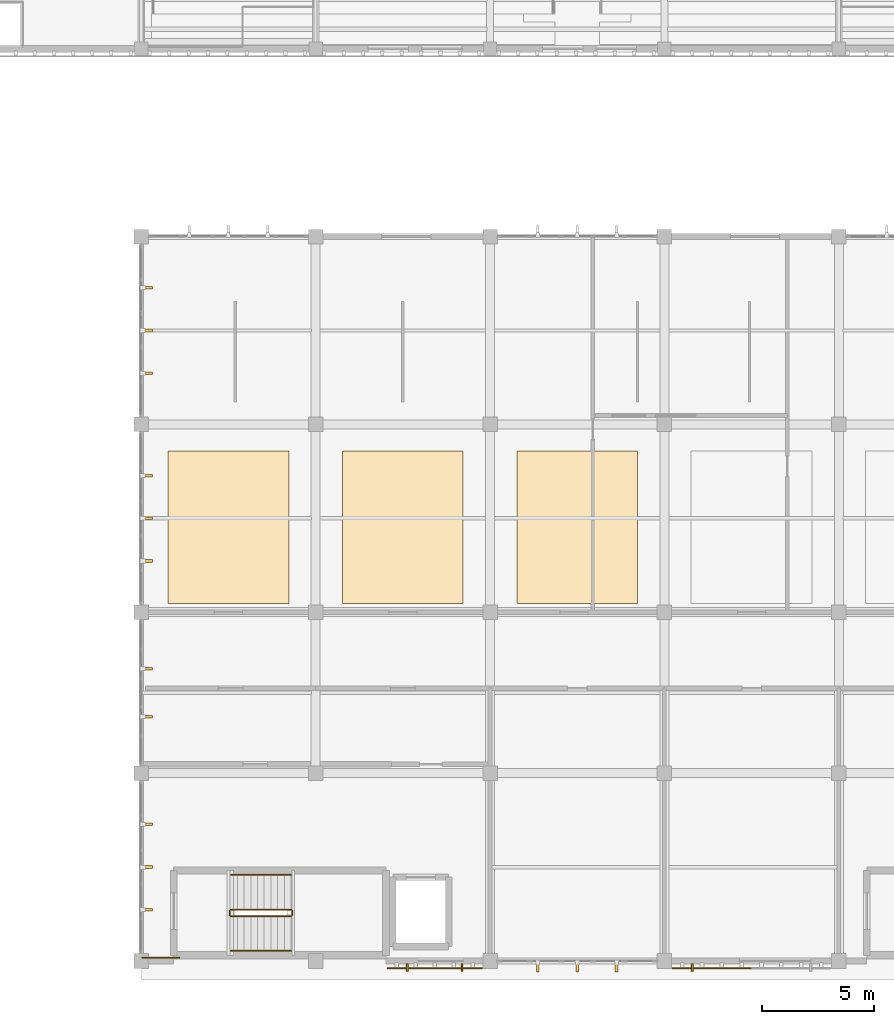
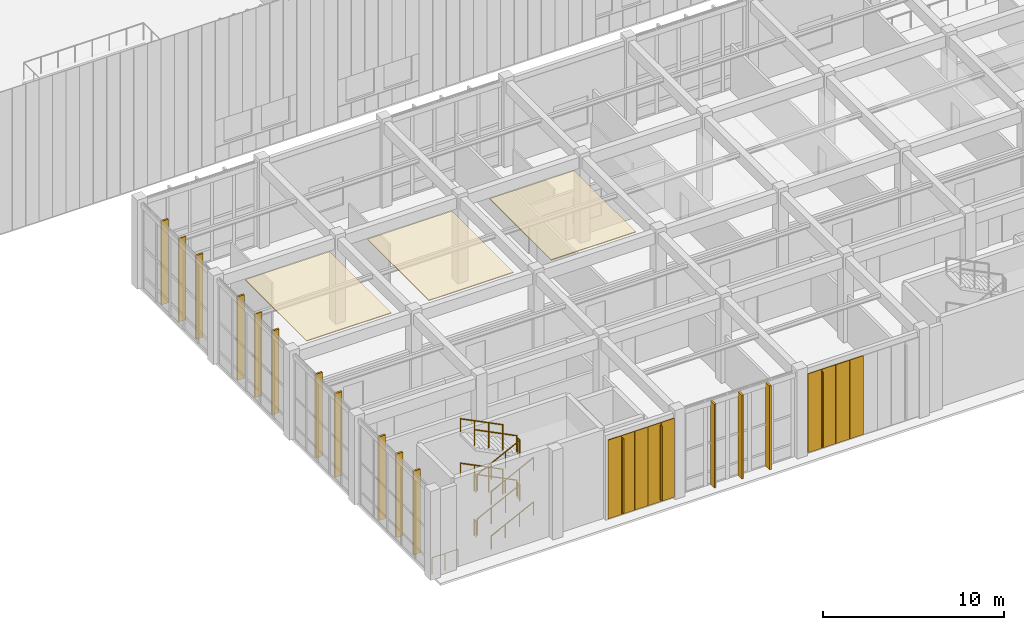
# One storey, part 88 of 105: 26 coverings, 13 railings, 3 shading devices.
"""IFC4 building model written with IfcOpenShell, lengths in metres."""

from ifc_helpers import new_model, si_unit, direction, frame, origin, origin_2d, place, context, subcontext, project, spatial, polyline, rectangle, circle, outline, extrude, material, layer, layer_set, type_object, element, save


model = new_model("IFC4")

# Units and contexts
model_context = context("Model", 3, precision=1e-05, world=origin(), true_north=direction((0.0, 1.0)))
body_context = subcontext(model_context, "Body", "Model", "MODEL_VIEW")
ifc_project = project(units=[si_unit("LENGTHUNIT", "METRE"), si_unit("AREAUNIT", "SQUARE_METRE"), si_unit("VOLUMEUNIT", "CUBIC_METRE"), si_unit("PLANEANGLEUNIT", "RADIAN"), si_unit("MASSUNIT", "GRAM", prefix="KILO")], contexts=[model_context])

# Site, building, storey
site_placement = place(None, origin())
site = spatial("IfcSite", under=ifc_project, at=site_placement, CompositionType="ELEMENT")
building_placement = place(site_placement, origin())
building = spatial("IfcBuilding", under=site, at=building_placement, Name="Tizgana Railside Sports Hall", CompositionType="ELEMENT")
storey_placement = place(building_placement, frame((0.0, 0.0, 6.0)))
storey = spatial("IfcBuildingStorey", under=building, at=storey_placement, Name="L01", CompositionType="ELEMENT", Elevation=6.0)

# Shading devices
ifc_material_1 = material(Name="Glulam GL28h", Category="wood")
shading_device_type = type_object("IfcShadingDeviceType", Name="Glulam Vertical Brise-Soleil Fin 320", PredefinedType="JALOUSIE", material=ifc_material_1)
for number, where, z_axis, x_axis, name in (
    (1, (22.14990234375, -0.2939453125, 0.35009765625), (0.0, 0.0, 1.0), (-1.0, 0.0, 0.0), "L01 Glulam Fin FIN-0027"),
    (2, (19.699951171875, -0.2939453125, 0.35009765625), (0.0, 0.0, 1.0), (-1.0, 0.0, 0.0), "L01 Glulam Fin FIN-0028"),
    (3, (32.449951171875, -0.2939453125, 0.35009765625), (0.0, 0.0, 1.0), (-1.0, 0.0, 0.0), "L01 Glulam Fin FIN-0030"),
):
    element("IfcShadingDevice", number, at=place(storey_placement, frame(where, z_axis=z_axis, x_axis=x_axis)), inside=storey, type_object=shading_device_type, Name=name, PredefinedType="JALOUSIE", context=body_context, shape_type="SweptSolid", body=[
        extrude(rectangle(XDim=0.080078125, YDim=0.320068359375, at=origin_2d()), origin(), (0.0, 0.0, 1.0), 5.02001953125),
    ])

# Coverings
ifc_layer_1 = layer(ifc_material_1, 0.139892578125, Name="Glulam GL28h")
ifc_layer_set_1 = layer_set([ifc_layer_1], Name="Glulam GL28h")
covering_type_1 = type_object("IfcCoveringType", Name="Mass-Timber Brise-Soleil & Pergola Fin", PredefinedType="CLADDING", material=ifc_layer_set_1)
for number, where, z_axis, x_axis, name in (
    (4, (29.06005859375, -0.280029296875, 0.0400390625), (0.0, 0.0, 1.0), (-1.0, 0.0, 0.0), "L01 Timber Brise-Soleil Fin"),
    (5, (27.300048828125, -0.280029296875, 0.0400390625), (0.0, 0.0, 1.0), (-1.0, 0.0, 0.0), "L01 Timber Brise-Soleil Fin"),
    (6, (25.5400390625, -0.280029296875, 0.0400390625), (0.0, 0.0, 1.0), (-1.0, 0.0, 0.0), "L01 Timber Brise-Soleil Fin"),
    (7, (8.080078125, 6.110107421875, 0.0400390625), (0.0, 0.0, 1.0), (0.0, -1.0, 0.0), "L01 Timber Brise-Soleil Fin"),
    (8, (8.080078125, 4.199951171875, 0.0400390625), (0.0, 0.0, 1.0), (0.0, -1.0, 0.0), "L01 Timber Brise-Soleil Fin"),
    (9, (8.080078125, 2.2900390625, 0.0400390625), (0.0, 0.0, 1.0), (0.0, -1.0, 0.0), "L01 Timber Brise-Soleil Fin"),
    (10, (8.080078125, 13.0732421875, 0.0400390625), (0.0, 0.0, 1.0), (0.0, -1.0, 0.0), "L01 Timber Brise-Soleil Fin"),
    (11, (8.080078125, 10.9267578125, 0.0400390625), (0.0, 0.0, 1.0), (0.0, -1.0, 0.0), "L01 Timber Brise-Soleil Fin"),
    (12, (8.080078125, 21.7099609375, 0.0400390625), (0.0, 0.0, 1.0), (0.0, -1.0, 0.0), "L01 Timber Brise-Soleil Fin"),
    (13, (8.080078125, 19.800048828125, 0.0400390625), (0.0, 0.0, 1.0), (0.0, -1.0, 0.0), "L01 Timber Brise-Soleil Fin"),
    (14, (8.080078125, 17.889892578125, 0.0400390625), (0.0, 0.0, 1.0), (0.0, -1.0, 0.0), "L01 Timber Brise-Soleil Fin"),
    (15, (8.080078125, 30.110107421875, 0.0400390625), (0.0, 0.0, 1.0), (0.0, -1.0, 0.0), "L01 Timber Brise-Soleil Fin"),
    (16, (8.080078125, 28.199951171875, 0.0400390625), (0.0, 0.0, 1.0), (0.0, -1.0, 0.0), "L01 Timber Brise-Soleil Fin"),
    (17, (8.080078125, 26.2900390625, 0.0400390625), (0.0, 0.0, 1.0), (0.0, -1.0, 0.0), "L01 Timber Brise-Soleil Fin"),
):
    element("IfcCovering", number, at=place(storey_placement, frame(where, z_axis=z_axis, x_axis=x_axis)), inside=storey, type_object=covering_type_1, Name=name, PredefinedType="CLADDING", context=body_context, shape_type="SweptSolid", body=[
        extrude(rectangle(XDim=0.1201171875, YDim=0.43994140625, at=origin_2d()), origin(), (0.0, 0.0, 1.0), 5.639892578125),
    ])
ifc_material_2 = material(Name="Anodised perforated aluminium screen", Category="aluminium")
ifc_layer_2 = layer(ifc_material_2, 0.044921875, Name="Anodised perforated aluminium screen")
ifc_layer_set_2 = layer_set([ifc_layer_2], Name="Anodised perforated aluminium screen")
covering_type_2 = type_object("IfcCoveringType", Name="Perforated Aluminium Hall Screen 900", PredefinedType="CLADDING", material=ifc_layer_set_2)
for number, where, z_axis, x_axis, name in (
    (18, (22.625, -0.31494140625, 0.2001953125), (0.0, 0.0, 1.0), (-1.0, 0.0, 0.0), "L01 Perforated Screen SCR-0525"),
    (19, (21.77490234375, -0.31494140625, 0.2001953125), (0.0, 0.0, 1.0), (-1.0, 0.0, 0.0), "L01 Perforated Screen SCR-0526"),
    (20, (20.925048828125, -0.31494140625, 0.2001953125), (0.0, 0.0, 1.0), (-1.0, 0.0, 0.0), "L01 Perforated Screen SCR-0527"),
    (21, (20.074951171875, -0.31494140625, 0.2001953125), (0.0, 0.0, 1.0), (-1.0, 0.0, 0.0), "L01 Perforated Screen SCR-0528"),
    (22, (19.22509765625, -0.31494140625, 0.2001953125), (0.0, 0.0, 1.0), (-1.0, 0.0, 0.0), "L01 Perforated Screen SCR-0529"),
):
    element("IfcCovering", number, at=place(storey_placement, frame(where, z_axis=z_axis, x_axis=x_axis)), inside=storey, type_object=covering_type_2, Name=name, PredefinedType="CLADDING", context=body_context, shape_type="SweptSolid", body=[
        extrude(rectangle(XDim=0.83203125, YDim=0.044921875, at=origin_2d()), origin(), (0.0, 0.0, 1.0), 5.320068359375),
    ])
for number, where, z_axis, x_axis, name in (
    (23, (34.65625, -0.31494140625, 0.2001953125), (0.0, 0.0, 1.0), (-1.0, 0.0, 0.0), "L01 Perforated Screen SCR-0534"),
    (24, (33.768798828125, -0.31494140625, 0.2001953125), (0.0, 0.0, 1.0), (-1.0, 0.0, 0.0), "L01 Perforated Screen SCR-0535"),
    (25, (32.88134765625, -0.31494140625, 0.2001953125), (0.0, 0.0, 1.0), (-1.0, 0.0, 0.0), "L01 Perforated Screen SCR-0536"),
    (26, (31.99365234375, -0.31494140625, 0.2001953125), (0.0, 0.0, 1.0), (-1.0, 0.0, 0.0), "L01 Perforated Screen SCR-0537"),
):
    element("IfcCovering", number, at=place(storey_placement, frame(where, z_axis=z_axis, x_axis=x_axis)), inside=storey, type_object=covering_type_2, Name=name, PredefinedType="CLADDING", context=body_context, shape_type="SweptSolid", body=[
        extrude(rectangle(XDim=0.869384765625, YDim=0.044921875, at=origin_2d()), origin(), (0.0, 0.0, 1.0), 5.320068359375),
    ])

# Railings
ifc_material_3 = material(Name="Galvanised steel sheet", Category="steel")
railing_type_1 = type_object("IfcRailingType", Name="Safety Balustrade Guard 1100", PredefinedType="BALUSTRADE", material=ifc_material_3)
railing_1_placement = place(storey_placement, frame((11.800048828125, 2.0, 0.14990234375)))
element("IfcRailing", 27, at=railing_1_placement, inside=storey, type_object=railing_type_1, Name="L01 ST-01 stair guard 1", PredefinedType="BALUSTRADE", context=body_context, shape_type="SweptSolid", body=[
    extrude(circle(Radius=0.02392578125, at=origin_2d()), frame((0.0, 0.0, 1.076171875), z_axis=(0.894411015155, 0.0, 0.447245945728), x_axis=(0.0, 1.0, 0.0)), (0.0, 0.0, 1.0), 3.018798828125),
    extrude(circle(Radius=0.02099609375, at=origin_2d()), origin(), (0.0, 0.0, 1.0), 1.052001953125),
    extrude(circle(Radius=0.02099609375, at=origin_2d()), frame((0.89990234375, 0.0, 0.449951171875)), (0.0, 0.0, 1.0), 1.052001953125),
    extrude(circle(Radius=0.02099609375, at=origin_2d()), frame((1.800048828125, 0.0, 0.900146484375)), (0.0, 0.0, 1.0), 1.052001953125),
    extrude(circle(Radius=0.02099609375, at=origin_2d()), frame((2.699951171875, 0.0, 1.35009765625)), (0.0, 0.0, 1.0), 1.052001953125),
])
railing_2_placement = place(storey_placement, frame((14.550048828125, 2.050048828125, 1.5)))
element("IfcRailing", 28, at=railing_2_placement, inside=storey, type_object=railing_type_1, Name="L01 ST-01 stair guard 2", PredefinedType="BALUSTRADE", context=body_context, shape_type="SweptSolid", body=[
    extrude(circle(Radius=0.02392578125, at=origin_2d()), frame((0.0, 0.0, 1.076171875), z_axis=(0.0, 1.0, 0.0), x_axis=(-1.0, 0.0, 0.0)), (0.0, 0.0, 1.0), 0.199951171875),
    extrude(circle(Radius=0.02099609375, at=origin_2d()), origin(), (0.0, 0.0, 1.0), 1.052001953125),
    extrude(circle(Radius=0.02099609375, at=origin_2d()), frame((0.0, 0.199951171875, 0.0)), (0.0, 0.0, 1.0), 1.052001953125),
])
railing_3_placement = place(storey_placement, frame((14.5, 2.300048828125, 1.64990234375)))
element("IfcRailing", 29, at=railing_3_placement, inside=storey, type_object=railing_type_1, Name="L01 ST-01 stair guard 3", PredefinedType="BALUSTRADE", context=body_context, shape_type="SweptSolid", body=[
    extrude(circle(Radius=0.02392578125, at=origin_2d()), frame((0.0, 0.0, 1.076171875), z_axis=(-0.894411015155, 0.0, 0.447245945728), x_axis=(0.0, -1.0, 0.0)), (0.0, 0.0, 1.0), 3.018798828125),
    extrude(circle(Radius=0.02099609375, at=origin_2d()), origin(), (0.0, 0.0, 1.0), 1.052001953125),
    extrude(circle(Radius=0.02099609375, at=origin_2d()), frame((-0.89990234375, 0.0, 0.449951171875)), (0.0, 0.0, 1.0), 1.052001953125),
    extrude(circle(Radius=0.02099609375, at=origin_2d()), frame((-1.800048828125, 0.0, 0.900146484375)), (0.0, 0.0, 1.0), 1.052001953125),
    extrude(circle(Radius=0.02099609375, at=origin_2d()), frame((-2.699951171875, 0.0, 1.35009765625)), (0.0, 0.0, 1.0), 1.052001953125),
])
railing_4_placement = place(storey_placement, frame((11.75, 2.050048828125, 3.0)))
element("IfcRailing", 30, at=railing_4_placement, inside=storey, type_object=railing_type_1, Name="L01 ST-01 stair guard 4", PredefinedType="BALUSTRADE", context=body_context, shape_type="SweptSolid", body=[
    extrude(circle(Radius=0.02392578125, at=origin_2d()), frame((0.0, 0.0, 1.076171875), z_axis=(0.0, 1.0, 0.0), x_axis=(-1.0, 0.0, 0.0)), (0.0, 0.0, 1.0), 0.199951171875),
    extrude(circle(Radius=0.02099609375, at=origin_2d()), origin(), (0.0, 0.0, 1.0), 1.052001953125),
    extrude(circle(Radius=0.02099609375, at=origin_2d()), frame((0.0, 0.199951171875, 0.0)), (0.0, 0.0, 1.0), 1.052001953125),
])
railing_5_placement = place(storey_placement, frame((11.800048828125, 2.0, 3.14990234375)))
element("IfcRailing", 31, at=railing_5_placement, inside=storey, type_object=railing_type_1, Name="L01 ST-01 stair guard 5", PredefinedType="BALUSTRADE", context=body_context, shape_type="SweptSolid", body=[
    extrude(circle(Radius=0.02392578125, at=origin_2d()), frame((0.0, 0.0, 1.076171875), z_axis=(0.894411015155, 0.0, 0.447245945728), x_axis=(0.0, 1.0, 0.0)), (0.0, 0.0, 1.0), 3.018798828125),
    extrude(circle(Radius=0.02099609375, at=origin_2d()), origin(), (0.0, 0.0, 1.0), 1.052001953125),
    extrude(circle(Radius=0.02099609375, at=origin_2d()), frame((0.89990234375, 0.0, 0.449951171875)), (0.0, 0.0, 1.0), 1.052001953125),
    extrude(circle(Radius=0.02099609375, at=origin_2d()), frame((1.800048828125, 0.0, 0.900146484375)), (0.0, 0.0, 1.0), 1.052001953125),
    extrude(circle(Radius=0.02099609375, at=origin_2d()), frame((2.699951171875, 0.0, 1.35009765625)), (0.0, 0.0, 1.0), 1.052001953125),
])
railing_6_placement = place(storey_placement, frame((14.550048828125, 2.050048828125, 4.5)))
element("IfcRailing", 32, at=railing_6_placement, inside=storey, type_object=railing_type_1, Name="L01 ST-01 stair guard 6", PredefinedType="BALUSTRADE", context=body_context, shape_type="SweptSolid", body=[
    extrude(circle(Radius=0.02392578125, at=origin_2d()), frame((0.0, 0.0, 1.076171875), z_axis=(0.0, 1.0, 0.0), x_axis=(-1.0, 0.0, 0.0)), (0.0, 0.0, 1.0), 0.199951171875),
    extrude(circle(Radius=0.02099609375, at=origin_2d()), origin(), (0.0, 0.0, 1.0), 1.052001953125),
    extrude(circle(Radius=0.02099609375, at=origin_2d()), frame((0.0, 0.199951171875, 0.0)), (0.0, 0.0, 1.0), 1.052001953125),
])
railing_7_placement = place(storey_placement, frame((14.5, 2.300048828125, 4.64990234375)))
element("IfcRailing", 33, at=railing_7_placement, inside=storey, type_object=railing_type_1, Name="L01 ST-01 stair guard 7", PredefinedType="BALUSTRADE", context=body_context, shape_type="SweptSolid", body=[
    extrude(circle(Radius=0.02392578125, at=origin_2d()), frame((0.0, 0.0, 1.076171875), z_axis=(-0.894411015155, 0.0, 0.447245945728), x_axis=(0.0, -1.0, 0.0)), (0.0, 0.0, 1.0), 3.018798828125),
    extrude(circle(Radius=0.02099609375, at=origin_2d()), origin(), (0.0, 0.0, 1.0), 1.052001953125),
    extrude(circle(Radius=0.02099609375, at=origin_2d()), frame((-0.89990234375, 0.0, 0.449951171875)), (0.0, 0.0, 1.0), 1.052001953125),
    extrude(circle(Radius=0.02099609375, at=origin_2d()), frame((-1.800048828125, 0.0, 0.900146484375)), (0.0, 0.0, 1.0), 1.052001953125),
    extrude(circle(Radius=0.02099609375, at=origin_2d()), frame((-2.699951171875, 0.0, 1.35009765625)), (0.0, 0.0, 1.0), 1.052001953125),
])
railing_8_placement = place(storey_placement, frame((11.75, 2.050048828125, 0.0)))
element("IfcRailing", 34, at=railing_8_placement, inside=storey, type_object=railing_type_1, Name="L01 ST-01 stair guard 8", PredefinedType="BALUSTRADE", context=body_context, shape_type="SweptSolid", body=[
    extrude(circle(Radius=0.02392578125, at=origin_2d()), frame((0.0, 0.0, 1.076171875), z_axis=(0.0, 1.0, 0.0), x_axis=(-1.0, 0.0, 0.0)), (0.0, 0.0, 1.0), 0.199951171875),
    extrude(circle(Radius=0.02099609375, at=origin_2d()), origin(), (0.0, 0.0, 1.0), 1.052001953125),
    extrude(circle(Radius=0.02099609375, at=origin_2d()), frame((0.0, 0.199951171875, 0.0)), (0.0, 0.0, 1.0), 1.052001953125),
])

# Coverings
ifc_material_4 = material(Name="Acoustic perforated timber", Category="wood")
ifc_layer_3 = layer(ifc_material_4, 0.054931640625, Name="Acoustic perforated timber")
ifc_layer_set_3 = layer_set([ifc_layer_3], Name="Acoustic perforated timber")
covering_type_3 = type_object("IfcCoveringType", Name="Slatted Timber Acoustic Hall Ceiling", PredefinedType="CEILING", material=ifc_layer_set_3)
covering_1_placement = place(storey_placement, frame((0.0, 0.0, 5.699951171875)))
element("IfcCovering", 35, at=covering_1_placement, inside=storey, type_object=covering_type_3, Name="L01 Acoustic Ceiling CLG-0001", PredefinedType="CEILING", context=body_context, shape_type="SweptSolid", body=[
    extrude(outline(polyline([(9.0, 16.0), (14.39990234375, 16.0), (14.39990234375, 22.800048828125), (9.0, 22.800048828125), (9.0, 16.0)])), origin(), (0.0, 0.0, 1.0), 0.054931640625),
])
covering_2_placement = place(storey_placement, frame((0.0, 0.0, 5.699951171875)))
element("IfcCovering", 36, at=covering_2_placement, inside=storey, type_object=covering_type_3, Name="L01 Acoustic Ceiling CLG-0002", PredefinedType="CEILING", context=body_context, shape_type="SweptSolid", body=[
    extrude(outline(polyline([(16.800048828125, 16.0), (22.199951171875, 16.0), (22.199951171875, 22.800048828125), (16.800048828125, 22.800048828125), (16.800048828125, 16.0)])), origin(), (0.0, 0.0, 1.0), 0.054931640625),
])
covering_3_placement = place(storey_placement, frame((0.0, 0.0, 5.699951171875)))
element("IfcCovering", 37, at=covering_3_placement, inside=storey, type_object=covering_type_3, Name="L01 Acoustic Ceiling CLG-0003", PredefinedType="CEILING", context=body_context, shape_type="SweptSolid", body=[
    extrude(outline(polyline([(24.60009765625, 16.0), (30.0, 16.0), (30.0, 22.800048828125), (24.60009765625, 22.800048828125), (24.60009765625, 16.0)])), origin(), (0.0, 0.0, 1.0), 0.054931640625),
])

# Railings
ifc_material_5 = material(Name="Brushed stainless steel", Category="steel")
railing_type_2 = type_object("IfcRailingType", Name="Stair & Ramp Wall Handrail 900", PredefinedType="HANDRAIL", material=ifc_material_5)
railing_9_placement = place(storey_placement, frame((11.800048828125, 0.449951171875, 0.14990234375)))
element("IfcRailing", 38, at=railing_9_placement, inside=storey, type_object=railing_type_2, Name="L01 ST-01 stair handrail 1", PredefinedType="HANDRAIL", context=body_context, shape_type="SweptSolid", body=[
    extrude(circle(Radius=0.02392578125, at=origin_2d()), frame((0.0, 0.0, 0.8759765625), z_axis=(0.894411015155, 0.0, 0.447245945728), x_axis=(0.0, 1.0, 0.0)), (0.0, 0.0, 1.0), 3.018798828125),
    extrude(circle(Radius=0.02099609375, at=origin_2d()), origin(), (0.0, 0.0, 1.0), 0.851806640625),
    extrude(circle(Radius=0.02099609375, at=origin_2d()), frame((0.89990234375, 0.0, 0.449951171875)), (0.0, 0.0, 1.0), 0.851806640625),
    extrude(circle(Radius=0.02099609375, at=origin_2d()), frame((1.800048828125, 0.0, 0.900146484375)), (0.0, 0.0, 1.0), 0.851806640625),
    extrude(circle(Radius=0.02099609375, at=origin_2d()), frame((2.699951171875, 0.0, 1.35009765625)), (0.0, 0.0, 1.0), 0.851806640625),
])
railing_10_placement = place(storey_placement, frame((14.5, 3.85009765625, 1.64990234375)))
element("IfcRailing", 39, at=railing_10_placement, inside=storey, type_object=railing_type_2, Name="L01 ST-01 stair handrail 2", PredefinedType="HANDRAIL", context=body_context, shape_type="SweptSolid", body=[
    extrude(circle(Radius=0.02392578125, at=origin_2d()), frame((0.0, 0.0, 0.8759765625), z_axis=(-0.894411015155, 0.0, 0.447245945728), x_axis=(0.0, -1.0, 0.0)), (0.0, 0.0, 1.0), 3.018798828125),
    extrude(circle(Radius=0.02099609375, at=origin_2d()), origin(), (0.0, 0.0, 1.0), 0.851806640625),
    extrude(circle(Radius=0.02099609375, at=origin_2d()), frame((-0.89990234375, 0.0, 0.449951171875)), (0.0, 0.0, 1.0), 0.851806640625),
    extrude(circle(Radius=0.02099609375, at=origin_2d()), frame((-1.800048828125, 0.0, 0.900146484375)), (0.0, 0.0, 1.0), 0.851806640625),
    extrude(circle(Radius=0.02099609375, at=origin_2d()), frame((-2.699951171875, 0.0, 1.35009765625)), (0.0, 0.0, 1.0), 0.851806640625),
])
railing_11_placement = place(storey_placement, frame((11.800048828125, 0.449951171875, 3.14990234375)))
element("IfcRailing", 40, at=railing_11_placement, inside=storey, type_object=railing_type_2, Name="L01 ST-01 stair handrail 3", PredefinedType="HANDRAIL", context=body_context, shape_type="SweptSolid", body=[
    extrude(circle(Radius=0.02392578125, at=origin_2d()), frame((0.0, 0.0, 0.8759765625), z_axis=(0.894411015155, 0.0, 0.447245945728), x_axis=(0.0, 1.0, 0.0)), (0.0, 0.0, 1.0), 3.018798828125),
    extrude(circle(Radius=0.02099609375, at=origin_2d()), origin(), (0.0, 0.0, 1.0), 0.851806640625),
    extrude(circle(Radius=0.02099609375, at=origin_2d()), frame((0.89990234375, 0.0, 0.449951171875)), (0.0, 0.0, 1.0), 0.851806640625),
    extrude(circle(Radius=0.02099609375, at=origin_2d()), frame((1.800048828125, 0.0, 0.900146484375)), (0.0, 0.0, 1.0), 0.851806640625),
    extrude(circle(Radius=0.02099609375, at=origin_2d()), frame((2.699951171875, 0.0, 1.35009765625)), (0.0, 0.0, 1.0), 0.851806640625),
])
railing_12_placement = place(storey_placement, frame((14.5, 3.85009765625, 4.64990234375)))
element("IfcRailing", 41, at=railing_12_placement, inside=storey, type_object=railing_type_2, Name="L01 ST-01 stair handrail 4", PredefinedType="HANDRAIL", context=body_context, shape_type="SweptSolid", body=[
    extrude(circle(Radius=0.02392578125, at=origin_2d()), frame((0.0, 0.0, 0.8759765625), z_axis=(-0.894411015155, 0.0, 0.447245945728), x_axis=(0.0, -1.0, 0.0)), (0.0, 0.0, 1.0), 3.018798828125),
    extrude(circle(Radius=0.02099609375, at=origin_2d()), origin(), (0.0, 0.0, 1.0), 0.851806640625),
    extrude(circle(Radius=0.02099609375, at=origin_2d()), frame((-0.89990234375, 0.0, 0.449951171875)), (0.0, 0.0, 1.0), 0.851806640625),
    extrude(circle(Radius=0.02099609375, at=origin_2d()), frame((-1.800048828125, 0.0, 0.900146484375)), (0.0, 0.0, 1.0), 0.851806640625),
    extrude(circle(Radius=0.02099609375, at=origin_2d()), frame((-2.699951171875, 0.0, 1.35009765625)), (0.0, 0.0, 1.0), 0.851806640625),
])
ifc_material_6 = material(Name="Anodised aluminium", Category="aluminium")
railing_type_3 = type_object("IfcRailingType", Name="Terrace & Track Guard 1150", PredefinedType="BALUSTRADE", material=ifc_material_6)
railing_13_placement = place(storey_placement, frame((7.85009765625, 0.14990234375, 0.0)))
element("IfcRailing", 42, at=railing_13_placement, inside=storey, type_object=railing_type_3, Name="L01 Safety Guard GRD-0025", PredefinedType="BALUSTRADE", context=body_context, shape_type="SweptSolid", body=[
    extrude(circle(Radius=0.02392578125, at=origin_2d()), frame((0.0, 0.0, 1.1259765625), z_axis=(1.0, 0.0, 0.0), x_axis=(0.0, 1.0, 0.0)), (0.0, 0.0, 1.0), 1.64990234375),
    extrude(circle(Radius=0.02099609375, at=origin_2d()), origin(), (0.0, 0.0, 1.0), 1.101806640625),
    extrude(circle(Radius=0.02099609375, at=origin_2d()), frame((0.824951171875, 0.0, 0.0)), (0.0, 0.0, 1.0), 1.101806640625),
    extrude(circle(Radius=0.02099609375, at=origin_2d()), frame((1.64990234375, 0.0, 0.0)), (0.0, 0.0, 1.0), 1.101806640625),
])

save(model, "model.ifc")
